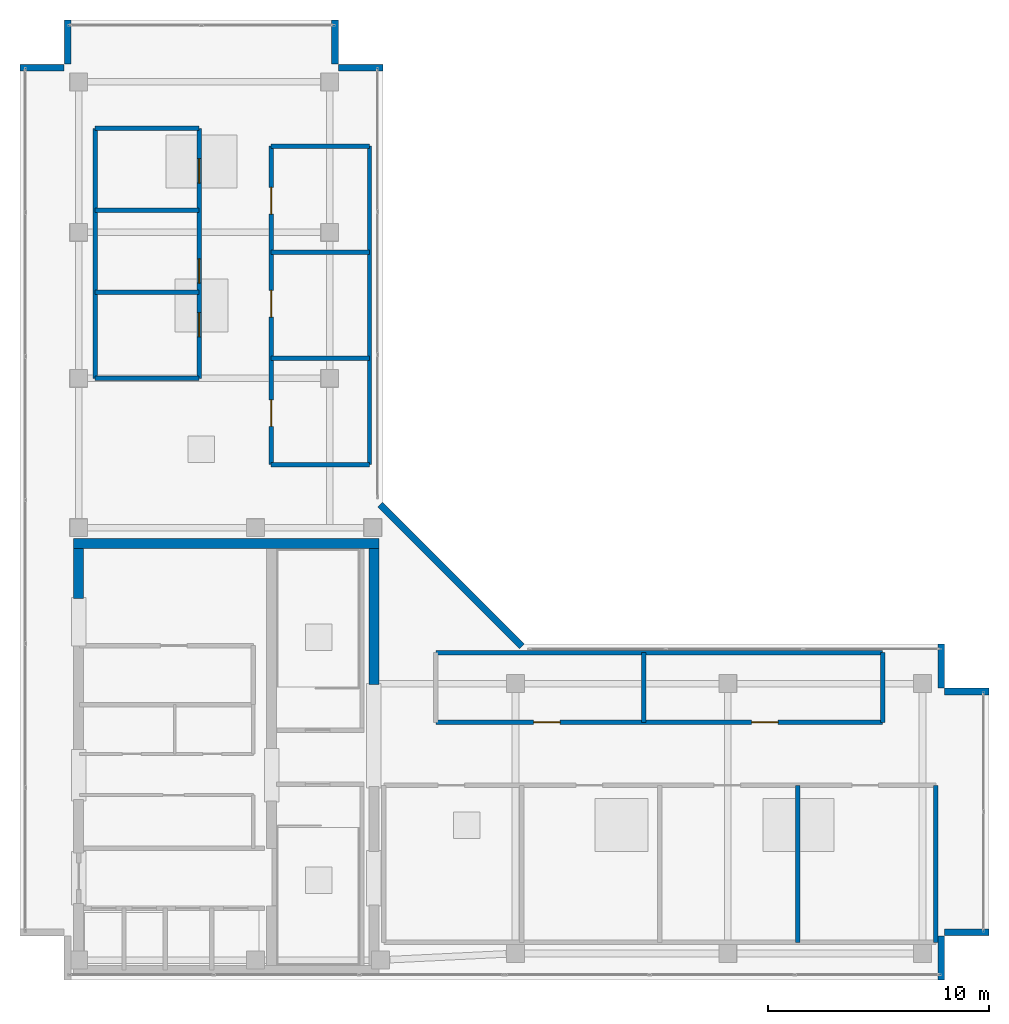
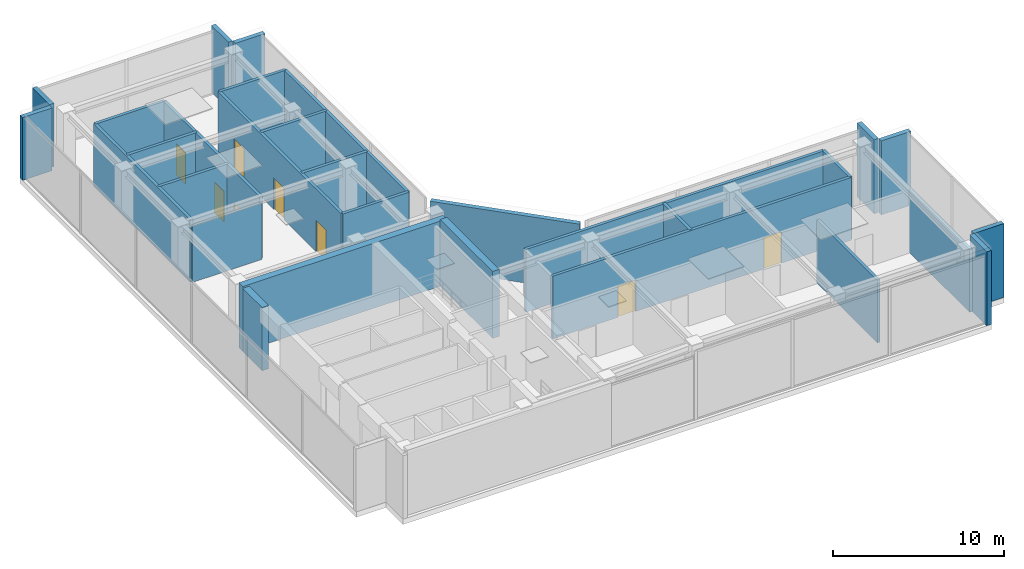
# One storey, part 21 of 22: 30 walls, 8 doors, 8 openings.
"""IFC4 building model written with IfcOpenShell, lengths in metres."""

from ifc_helpers import new_model, si_unit, direction, frame, frame_2d, origin, place, context, subcontext, project, spatial, rectangle, extrude, material, layer, layer_set, type_object, element, fill, save


model = new_model("IFC4")

# Units and contexts
model_context = context("Model", 3, precision=1e-05, world=origin(), true_north=direction((0.0, 1.0)))
body_context = subcontext(model_context, "Body", "Model", "MODEL_VIEW")
ifc_project = project(units=[si_unit("LENGTHUNIT", "METRE"), si_unit("AREAUNIT", "SQUARE_METRE"), si_unit("VOLUMEUNIT", "CUBIC_METRE"), si_unit("PLANEANGLEUNIT", "RADIAN"), si_unit("MASSUNIT", "GRAM", prefix="KILO")], contexts=[model_context])

# Site, building, storey
site_placement = place(None, origin())
site = spatial("IfcSite", under=ifc_project, at=site_placement, CompositionType="ELEMENT")
building_placement = place(site_placement, origin())
building = spatial("IfcBuilding", under=site, at=building_placement, Name="Kolvaren Waterfront Exchange", CompositionType="ELEMENT")
storey_placement = place(building_placement, frame((0.0, 0.0, 360.39990234375)))
storey = spatial("IfcBuildingStorey", under=building, at=storey_placement, Name="RF", CompositionType="ELEMENT", Elevation=360.39990234375)

# Wall, openings, doors
ifc_material_1 = material(Name="Precast concrete C40/50", Category="concrete")
ifc_layer_1 = layer(ifc_material_1, 0.199951171875, Name="Precast concrete C40/50")
ifc_layer_set_1 = layer_set([ifc_layer_1], Name="Precast concrete C40/50")
wall_type_1 = type_object("IfcWallType", Name="ARC-FIRE-200", PredefinedType="PARTITIONING", material=ifc_layer_set_1)
wall_1_placement = place(storey_placement, frame((23.60009765625, 15.64990234375, 0.0), z_axis=(0.0, 0.0, 1.0), x_axis=(1.0, 0.0, 0.0)))
wall_1 = element("IfcWall", 1, at=wall_1_placement, inside=storey, type_object=wall_type_1, Name="RF interior wall PW-RF-NEPL-S", PredefinedType="PARTITIONING", context=body_context, shape_type="SweptSolid", body=[
    extrude(rectangle(XDim=20.199951171875, YDim=0.199951171875, at=frame_2d((10.10009765625, 0.0))), origin(), (0.0, 0.0, 1.0), 4.47998046875),
])
opening_1_placement = place(wall_1_placement, frame((4.414306640625, 0.0, 0.0)))
opening_1 = element("IfcOpeningElement", 2, at=opening_1_placement, cuts=wall_1, Name="Opening FD3", PredefinedType="OPENING", context=body_context, shape_type="SweptSolid", body=[
    extrude(rectangle(XDim=1.199951171875, YDim=2.25, at=frame_2d((0.60009765625, 1.125))), frame((0.0, 0.10986328125, 0.0), z_axis=(0.0, -1.0, 0.0), x_axis=(1.0, 0.0, 0.0)), (0.0, 0.0, 1.0), 0.219970703125),
])
opening_2_placement = place(wall_1_placement, frame((14.2705078125, 0.0, 0.0)))
opening_2 = element("IfcOpeningElement", 3, at=opening_2_placement, cuts=wall_1, Name="Opening FD3", PredefinedType="OPENING", context=body_context, shape_type="SweptSolid", body=[
    extrude(rectangle(XDim=1.199951171875, YDim=2.25, at=frame_2d((0.60009765625, 1.125))), frame((0.0, 0.10986328125, 0.0), z_axis=(0.0, -1.0, 0.0), x_axis=(1.0, 0.0, 0.0)), (0.0, 0.0, 1.0), 0.219970703125),
])
ifc_material_2 = material(Name="Pressed steel fire door", Category="steel")
door_type_1 = type_object("IfcDoorType", Name="ARC-FD-1200", OperationType="NOTDEFINED", PredefinedType="DOOR", material=ifc_material_2)
door_1_placement = place(opening_1_placement, origin())
door_1 = element("IfcDoor", 4, at=door_1_placement, inside=storey, type_object=door_type_1, Name="RF door DR-RF-NEPL1-D (FD3)", OperationType="SINGLE_SWING_RIGHT", OverallHeight=2.25, OverallWidth=1.199951171875, PredefinedType="DOOR", context=body_context, shape_type="SweptSolid", body=[
    extrude(rectangle(XDim=1.199951171875, YDim=2.25, at=frame_2d((0.60009765625, 1.125))), frame((0.0, 0.02490234375, 0.0), z_axis=(0.0, -1.0, 0.0), x_axis=(1.0, 0.0, 0.0)), (0.0, 0.0, 1.0), 0.050048828125),
])
fill(opening_1, door_1)
door_2_placement = place(opening_2_placement, origin())
door_2 = element("IfcDoor", 5, at=door_2_placement, inside=storey, type_object=door_type_1, Name="RF door DR-RF-NEPL2-D (FD3)", OperationType="SINGLE_SWING_LEFT", OverallHeight=2.25, OverallWidth=1.199951171875, PredefinedType="DOOR", context=body_context, shape_type="SweptSolid", body=[
    extrude(rectangle(XDim=1.199951171875, YDim=2.25, at=frame_2d((0.60009765625, 1.125))), frame((0.0, 0.02490234375, 0.0), z_axis=(0.0, -1.0, 0.0), x_axis=(1.0, 0.0, 0.0)), (0.0, 0.0, 1.0), 0.050048828125),
])
fill(opening_2, door_2)

# Walls
wall_2_placement = place(storey_placement, frame((43.800048828125, 15.64990234375, 0.0), z_axis=(0.0, 0.0, 1.0), x_axis=(0.0, 1.0, 0.0)))
element("IfcWall", 6, at=wall_2_placement, inside=storey, type_object=wall_type_1, Name="RF interior wall PW-RF-NEPL-E", PredefinedType="PARTITIONING", context=body_context, shape_type="SweptSolid", body=[
    extrude(rectangle(XDim=3.150146484375, YDim=0.199951171875, at=frame_2d((1.5751953125, 0.0))), origin(), (0.0, 0.0, 1.0), 4.47998046875),
])
wall_3_placement = place(storey_placement, frame((23.60009765625, 18.800048828125, 0.0), z_axis=(0.0, 0.0, 1.0), x_axis=(1.0, 0.0, 0.0)))
element("IfcWall", 7, at=wall_3_placement, inside=storey, type_object=wall_type_1, Name="RF interior wall PW-RF-NEPL-N", PredefinedType="PARTITIONING", context=body_context, shape_type="SweptSolid", body=[
    extrude(rectangle(XDim=20.199951171875, YDim=0.199951171875, at=frame_2d((10.10009765625, 0.0))), origin(), (0.0, 0.0, 1.0), 4.47998046875),
])
wall_4_placement = place(storey_placement, frame((33.0, 15.64990234375, 0.0), z_axis=(0.0, 0.0, 1.0), x_axis=(0.0, 1.0, 0.0)))
element("IfcWall", 8, at=wall_4_placement, inside=storey, type_object=wall_type_1, Name="RF interior wall PW-RF-NEPL-M", PredefinedType="PARTITIONING", context=body_context, shape_type="SweptSolid", body=[
    extrude(rectangle(XDim=3.150146484375, YDim=0.199951171875, at=frame_2d((1.5751953125, 0.0))), origin(), (0.0, 0.0, 1.0), 4.47998046875),
])
for number, where, z_axis, x_axis, name in (
    (9, (46.199951171875, 5.699951171875, 0.0), (0.0, 0.0, 1.0), (0.0, 1.0, 0.0), "RF interior wall PW-RF-PL-E1"),
    (10, (39.9599609375, 5.699951171875, 0.0), (0.0, 0.0, 1.0), (0.0, 1.0, 0.0), "RF interior wall PW-RF-PL-M1-3"),
):
    element("IfcWall", number, at=place(storey_placement, frame(where, z_axis=z_axis, x_axis=x_axis)), inside=storey, type_object=wall_type_1, Name=name, PredefinedType="PARTITIONING", context=body_context, shape_type="SweptSolid", body=[
        extrude(rectangle(XDim=7.10009765625, YDim=0.199951171875, at=frame_2d((3.550048828125, 0.0))), origin(), (0.0, 0.0, 1.0), 4.47998046875),
    ])

# Wall, openings, doors
wall_5_placement = place(storey_placement, frame((12.89990234375, 31.199951171875, 0.0), z_axis=(0.0, 0.0, 1.0), x_axis=(0.0, 1.0, 0.0)))
wall_5 = element("IfcWall", 11, at=wall_5_placement, inside=storey, type_object=wall_type_1, Name="RF interior wall PW-RF-PL-E3", PredefinedType="PARTITIONING", context=body_context, shape_type="SweptSolid", body=[
    extrude(rectangle(XDim=11.300048828125, YDim=0.199951171875, at=frame_2d((5.64990234375, 0.0))), origin(), (0.0, 0.0, 1.0), 4.47998046875),
])
opening_3_placement = place(wall_5_placement, frame((1.875, 0.0, 0.0)))
opening_3 = element("IfcOpeningElement", 12, at=opening_3_placement, cuts=wall_5, Name="Opening FD2", PredefinedType="OPENING", context=body_context, shape_type="SweptSolid", body=[
    extrude(rectangle(XDim=1.10009765625, YDim=2.199951171875, at=frame_2d((0.550048828125, 1.10009765625))), frame((0.0, 0.10986328125, 0.0), z_axis=(0.0, -1.0, 0.0), x_axis=(1.0, 0.0, 0.0)), (0.0, 0.0, 1.0), 0.219970703125),
])
opening_4_placement = place(wall_5_placement, frame((4.300048828125, 0.0, 0.0)))
opening_4 = element("IfcOpeningElement", 13, at=opening_4_placement, cuts=wall_5, Name="Opening FD2", PredefinedType="OPENING", context=body_context, shape_type="SweptSolid", body=[
    extrude(rectangle(XDim=1.10009765625, YDim=2.199951171875, at=frame_2d((0.550048828125, 1.10009765625))), frame((0.0, 0.10986328125, 0.0), z_axis=(0.0, -1.0, 0.0), x_axis=(1.0, 0.0, 0.0)), (0.0, 0.0, 1.0), 0.219970703125),
])
opening_5_placement = place(wall_5_placement, frame((8.827392578125, 0.0, 0.0)))
opening_5 = element("IfcOpeningElement", 14, at=opening_5_placement, cuts=wall_5, Name="Opening FD2", PredefinedType="OPENING", context=body_context, shape_type="SweptSolid", body=[
    extrude(rectangle(XDim=1.10009765625, YDim=2.199951171875, at=frame_2d((0.550048828125, 1.10009765625))), frame((0.0, 0.10986328125, 0.0), z_axis=(0.0, -1.0, 0.0), x_axis=(1.0, 0.0, 0.0)), (0.0, 0.0, 1.0), 0.219970703125),
])
ifc_material_3 = material(Name="Pressed steel smoke-seal fire door", Category="steel")
door_type_2 = type_object("IfcDoorType", Name="ARC-FD-1100", OperationType="NOTDEFINED", PredefinedType="DOOR", material=ifc_material_3)
door_3_placement = place(opening_3_placement, origin())
door_3 = element("IfcDoor", 15, at=door_3_placement, inside=storey, type_object=door_type_2, Name="RF door DR-RF-PLNW-D1 (FD2)", OperationType="SINGLE_SWING_RIGHT", OverallHeight=2.199951171875, OverallWidth=1.10009765625, PredefinedType="DOOR", context=body_context, shape_type="SweptSolid", body=[
    extrude(rectangle(XDim=1.10009765625, YDim=2.199951171875, at=frame_2d((0.550048828125, 1.10009765625))), frame((0.0, 0.02490234375, 0.0), z_axis=(0.0, -1.0, 0.0), x_axis=(1.0, 0.0, 0.0)), (0.0, 0.0, 1.0), 0.050048828125),
])
fill(opening_3, door_3)
door_4_placement = place(opening_4_placement, origin())
door_4 = element("IfcDoor", 16, at=door_4_placement, inside=storey, type_object=door_type_2, Name="RF door DR-RF-PLNW-D2 (FD2)", OperationType="SINGLE_SWING_LEFT", OverallHeight=2.199951171875, OverallWidth=1.10009765625, PredefinedType="DOOR", context=body_context, shape_type="SweptSolid", body=[
    extrude(rectangle(XDim=1.10009765625, YDim=2.199951171875, at=frame_2d((0.550048828125, 1.10009765625))), frame((0.0, 0.02490234375, 0.0), z_axis=(0.0, -1.0, 0.0), x_axis=(1.0, 0.0, 0.0)), (0.0, 0.0, 1.0), 0.050048828125),
])
fill(opening_4, door_4)
door_5_placement = place(opening_5_placement, origin())
door_5 = element("IfcDoor", 17, at=door_5_placement, inside=storey, type_object=door_type_2, Name="RF door DR-RF-PLNW-D3 (FD2)", OperationType="SINGLE_SWING_RIGHT", OverallHeight=2.199951171875, OverallWidth=1.10009765625, PredefinedType="DOOR", context=body_context, shape_type="SweptSolid", body=[
    extrude(rectangle(XDim=1.10009765625, YDim=2.199951171875, at=frame_2d((0.550048828125, 1.10009765625))), frame((0.0, 0.02490234375, 0.0), z_axis=(0.0, -1.0, 0.0), x_axis=(1.0, 0.0, 0.0)), (0.0, 0.0, 1.0), 0.050048828125),
])
fill(opening_5, door_5)

# Walls
wall_6_placement = place(storey_placement, frame((8.199951171875, 31.199951171875, 0.0), z_axis=(0.0, 0.0, 1.0), x_axis=(0.0, 1.0, 0.0)))
element("IfcWall", 18, at=wall_6_placement, inside=storey, type_object=wall_type_1, Name="RF interior wall PW-RF-PL-W3", PredefinedType="PARTITIONING", context=body_context, shape_type="SweptSolid", body=[
    extrude(rectangle(XDim=11.300048828125, YDim=0.199951171875, at=frame_2d((5.64990234375, 0.0))), origin(), (0.0, 0.0, 1.0), 4.47998046875),
])
wall_7_placement = place(storey_placement, frame((8.199951171875, 31.199951171875, 0.0), z_axis=(0.0, 0.0, 1.0), x_axis=(1.0, 0.0, 0.0)))
element("IfcWall", 19, at=wall_7_placement, inside=storey, type_object=wall_type_1, Name="RF interior wall PW-RF-PL-S3", PredefinedType="PARTITIONING", context=body_context, shape_type="SweptSolid", body=[
    extrude(rectangle(XDim=4.699951171875, YDim=0.199951171875, at=frame_2d((2.35009765625, 0.0))), origin(), (0.0, 0.0, 1.0), 4.031005859375),
])
for number, where, z_axis, x_axis, name in (
    (20, (8.199951171875, 42.5, 0.0), (0.0, 0.0, 1.0), (1.0, 0.0, 0.0), "RF interior wall PW-RF-PL-N3"),
    (21, (8.199951171875, 35.10009765625, 0.0), (0.0, 0.0, 1.0), (1.0, 0.0, 0.0), "RF interior wall PW-RF-PL-M3-1"),
    (22, (8.199951171875, 38.800048828125, 0.0), (0.0, 0.0, 1.0), (1.0, 0.0, 0.0), "RF interior wall PW-RF-PL-M3-2"),
):
    element("IfcWall", number, at=place(storey_placement, frame(where, z_axis=z_axis, x_axis=x_axis)), inside=storey, type_object=wall_type_1, Name=name, PredefinedType="PARTITIONING", context=body_context, shape_type="SweptSolid", body=[
        extrude(rectangle(XDim=4.699951171875, YDim=0.199951171875, at=frame_2d((2.35009765625, 0.0))), origin(), (0.0, 0.0, 1.0), 4.47998046875),
    ])

# Wall, openings, doors
wall_8_placement = place(storey_placement, frame((16.14990234375, 27.300048828125, 0.0), z_axis=(0.0, 0.0, 1.0), x_axis=(0.0, 1.0, 0.0)))
wall_8 = element("IfcWall", 23, at=wall_8_placement, inside=storey, type_object=wall_type_1, Name="RF interior wall PW-RF-PL-W4", PredefinedType="PARTITIONING", context=body_context, shape_type="SweptSolid", body=[
    extrude(rectangle(XDim=14.39990234375, YDim=0.199951171875, at=frame_2d((7.199951171875, 0.0))), origin(), (0.0, 0.0, 1.0), 4.47998046875),
])
opening_6_placement = place(wall_8_placement, frame((1.72900390625, 0.0, 0.0)))
opening_6 = element("IfcOpeningElement", 24, at=opening_6_placement, cuts=wall_8, Name="Opening FD3", PredefinedType="OPENING", context=body_context, shape_type="SweptSolid", body=[
    extrude(rectangle(XDim=1.199951171875, YDim=2.25, at=frame_2d((0.60009765625, 1.125))), frame((0.0, 0.10986328125, 0.0), z_axis=(0.0, -1.0, 0.0), x_axis=(1.0, 0.0, 0.0)), (0.0, 0.0, 1.0), 0.219970703125),
])
opening_7_placement = place(wall_8_placement, frame((6.671142578125, 0.0, 0.0)))
opening_7 = element("IfcOpeningElement", 25, at=opening_7_placement, cuts=wall_8, Name="Opening FD3", PredefinedType="OPENING", context=body_context, shape_type="SweptSolid", body=[
    extrude(rectangle(XDim=1.199951171875, YDim=2.25, at=frame_2d((0.60009765625, 1.125))), frame((0.0, 0.10986328125, 0.0), z_axis=(0.0, -1.0, 0.0), x_axis=(1.0, 0.0, 0.0)), (0.0, 0.0, 1.0), 0.219970703125),
])
opening_8_placement = place(wall_8_placement, frame((11.328857421875, 0.0, 0.0)))
opening_8 = element("IfcOpeningElement", 26, at=opening_8_placement, cuts=wall_8, Name="Opening FD3", PredefinedType="OPENING", context=body_context, shape_type="SweptSolid", body=[
    extrude(rectangle(XDim=1.199951171875, YDim=2.25, at=frame_2d((0.60009765625, 1.125))), frame((0.0, 0.10986328125, 0.0), z_axis=(0.0, -1.0, 0.0), x_axis=(1.0, 0.0, 0.0)), (0.0, 0.0, 1.0), 0.219970703125),
])
door_6_placement = place(opening_6_placement, origin())
door_6 = element("IfcDoor", 27, at=door_6_placement, inside=storey, type_object=door_type_1, Name="RF door DR-RF-PLNER-D1 (FD3)", OperationType="SINGLE_SWING_LEFT", OverallHeight=2.25, OverallWidth=1.199951171875, PredefinedType="DOOR", context=body_context, shape_type="SweptSolid", body=[
    extrude(rectangle(XDim=1.199951171875, YDim=2.25, at=frame_2d((0.60009765625, 1.125))), frame((0.0, 0.02490234375, 0.0), z_axis=(0.0, -1.0, 0.0), x_axis=(1.0, 0.0, 0.0)), (0.0, 0.0, 1.0), 0.050048828125),
])
fill(opening_6, door_6)
door_7_placement = place(opening_7_placement, origin())
door_7 = element("IfcDoor", 28, at=door_7_placement, inside=storey, type_object=door_type_1, Name="RF door DR-RF-PLNER-D2 (FD3)", OperationType="SINGLE_SWING_RIGHT", OverallHeight=2.25, OverallWidth=1.199951171875, PredefinedType="DOOR", context=body_context, shape_type="SweptSolid", body=[
    extrude(rectangle(XDim=1.199951171875, YDim=2.25, at=frame_2d((0.60009765625, 1.125))), frame((0.0, 0.02490234375, 0.0), z_axis=(0.0, -1.0, 0.0), x_axis=(1.0, 0.0, 0.0)), (0.0, 0.0, 1.0), 0.050048828125),
])
fill(opening_7, door_7)
door_8_placement = place(opening_8_placement, origin())
door_8 = element("IfcDoor", 29, at=door_8_placement, inside=storey, type_object=door_type_1, Name="RF door DR-RF-PLNER-D3 (FD3)", OperationType="SINGLE_SWING_LEFT", OverallHeight=2.25, OverallWidth=1.199951171875, PredefinedType="DOOR", context=body_context, shape_type="SweptSolid", body=[
    extrude(rectangle(XDim=1.199951171875, YDim=2.25, at=frame_2d((0.60009765625, 1.125))), frame((0.0, 0.02490234375, 0.0), z_axis=(0.0, -1.0, 0.0), x_axis=(1.0, 0.0, 0.0)), (0.0, 0.0, 1.0), 0.050048828125),
])
fill(opening_8, door_8)

# Walls
wall_9_placement = place(storey_placement, frame((20.60009765625, 27.300048828125, 0.0), z_axis=(0.0, 0.0, 1.0), x_axis=(0.0, 1.0, 0.0)))
element("IfcWall", 30, at=wall_9_placement, inside=storey, type_object=wall_type_1, Name="RF interior wall PW-RF-PL-E4", PredefinedType="PARTITIONING", context=body_context, shape_type="SweptSolid", body=[
    extrude(rectangle(XDim=14.39990234375, YDim=0.199951171875, at=frame_2d((7.199951171875, 0.0))), origin(), (0.0, 0.0, 1.0), 4.47998046875),
])
for number, where, z_axis, x_axis, name in (
    (31, (16.14990234375, 27.300048828125, 0.0), (0.0, 0.0, 1.0), (1.0, 0.0, 0.0), "RF interior wall PW-RF-PL-S4"),
    (32, (16.14990234375, 41.699951171875, 0.0), (0.0, 0.0, 1.0), (1.0, 0.0, 0.0), "RF interior wall PW-RF-PL-N4"),
    (33, (16.14990234375, 32.10009765625, 0.0), (0.0, 0.0, 1.0), (1.0, 0.0, 0.0), "RF interior wall PW-RF-PL-M4-1"),
    (34, (16.14990234375, 36.89990234375, 0.0), (0.0, 0.0, 1.0), (1.0, 0.0, 0.0), "RF interior wall PW-RF-PL-M4-2"),
):
    element("IfcWall", number, at=place(storey_placement, frame(where, z_axis=z_axis, x_axis=x_axis)), inside=storey, type_object=wall_type_1, Name=name, PredefinedType="PARTITIONING", context=body_context, shape_type="SweptSolid", body=[
        extrude(rectangle(XDim=4.4501953125, YDim=0.199951171875, at=frame_2d((2.22509765625, 0.0))), origin(), (0.0, 0.0, 1.0), 4.47998046875),
    ])
ifc_layer_2 = layer(ifc_material_1, 0.300048828125, Name="Precast concrete C40/50")
ifc_layer_set_2 = layer_set([ifc_layer_2], Name="Precast concrete C40/50")
wall_type_2 = type_object("IfcWallType", Name="ARC-PARAPET-300", PredefinedType="PARAPET", material=ifc_layer_set_2)
for number, where, z_axis, x_axis, name in (
    (35, (46.43994140625, 4.0, 0.0), (0.0, 0.0, 1.0), (0.0, 1.0, 0.0), "RF stepped crown corner closure wall 02"),
    (36, (46.60009765625, 6.159912109375, 0.0), (0.0, 0.0, 1.0), (1.0, 0.0, 0.0), "RF stepped crown corner closure wall 03"),
    (37, (48.60009765625, 17.0400390625, 0.0), (0.0, 0.0, 1.0), (-1.0, 0.0, 0.0), "RF stepped crown corner closure wall 05"),
    (38, (46.43994140625, 17.199951171875, 0.0), (0.0, 0.0, 1.0), (0.0, 1.0, 0.0), "RF stepped crown corner closure wall 06"),
):
    element("IfcWall", number, at=place(storey_placement, frame(where, z_axis=z_axis, x_axis=x_axis)), inside=storey, type_object=wall_type_2, Name=name, PredefinedType="PARAPET", context=body_context, shape_type="SweptSolid", body=[
        extrude(rectangle(XDim=2.0, YDim=0.300048828125, at=frame_2d((1.0, 0.0))), origin(), (0.0, 0.0, 1.0), 5.291748046875),
    ])
wall_10_placement = place(storey_placement, frame((27.48681640625, 19.0869140625, 0.0), z_axis=(0.0, 0.0, 1.0), x_axis=(-0.707106781187, 0.707106781187, 0.0)))
element("IfcWall", 39, at=wall_10_placement, inside=storey, type_object=wall_type_2, Name="RF stepped crown corner closure wall 08", PredefinedType="PARAPET", context=body_context, shape_type="SweptSolid", body=[
    extrude(rectangle(XDim=9.05078125, YDim=0.300048828125, at=frame_2d((4.525390625, 0.0))), origin(), (0.0, 0.0, 1.0), 4.8046875),
])
for number, where, z_axis, x_axis, name in (
    (40, (21.199951171875, 45.239990234375, 0.0), (0.0, 0.0, 1.0), (-1.0, 0.0, 0.0), "RF stepped crown corner closure wall 10"),
    (41, (19.0400390625, 45.39990234375, 0.0), (0.0, 0.0, 1.0), (0.0, 1.0, 0.0), "RF stepped crown corner closure wall 11"),
):
    element("IfcWall", number, at=place(storey_placement, frame(where, z_axis=z_axis, x_axis=x_axis)), inside=storey, type_object=wall_type_2, Name=name, PredefinedType="PARAPET", context=body_context, shape_type="SweptSolid", body=[
        extrude(rectangle(XDim=2.0, YDim=0.300048828125, at=frame_2d((1.0, 0.0))), origin(), (0.0, 0.0, 1.0), 4.766357421875),
    ])
wall_11_placement = place(storey_placement, frame((6.9599609375, 47.39990234375, 0.0), z_axis=(0.0, 0.0, 1.0), x_axis=(0.0, -1.0, 0.0)))
element("IfcWall", 42, at=wall_11_placement, inside=storey, type_object=wall_type_2, Name="RF stepped crown corner closure wall 13", PredefinedType="PARAPET", context=body_context, shape_type="SweptSolid", body=[
    extrude(rectangle(XDim=2.0, YDim=0.300048828125, at=frame_2d((1.0, 0.0))), origin(), (0.0, 0.0, 1.0), 4.528564453125),
])
wall_12_placement = place(storey_placement, frame((6.800048828125, 45.239990234375, 0.0), z_axis=(0.0, 0.0, 1.0), x_axis=(-1.0, 0.0, 0.0)))
element("IfcWall", 43, at=wall_12_placement, inside=storey, type_object=wall_type_2, Name="RF stepped crown corner closure wall 14", PredefinedType="PARAPET", context=body_context, shape_type="SweptSolid", body=[
    extrude(rectangle(XDim=2.0, YDim=0.300048828125, at=frame_2d((1.0, 0.0))), origin(), (0.0, 0.0, 1.0), 4.489990234375),
])
ifc_material_4 = material(Name="Concrete C50/60", Category="concrete")
ifc_layer_3 = layer(ifc_material_4, 0.449951171875, Name="Concrete C50/60")
ifc_layer_set_3 = layer_set([ifc_layer_3], Name="Concrete C50/60")
wall_type_3 = type_object("IfcWallType", Name="STR-CWALL-450", PredefinedType="SHEAR", material=ifc_layer_set_3)
wall_13_placement = place(storey_placement, frame((7.22509765625, 23.72509765625, 0.0), z_axis=(0.0, 0.0, 1.0), x_axis=(1.0, 0.0, 0.0)))
element("IfcWall", 44, at=wall_13_placement, inside=storey, type_object=wall_type_3, Name="RF rear-core shear wall N", PredefinedType="SHEAR", context=body_context, shape_type="SweptSolid", body=[
    extrude(rectangle(XDim=13.7998046875, YDim=0.449951171875, at=frame_2d((6.89990234375, 0.0))), origin(), (0.0, 0.0, 1.0), 4.658935546875),
])
wall_14_placement = place(storey_placement, frame((7.449951171875, 21.239990234375, 0.0), z_axis=(0.0, 0.0, 1.0), x_axis=(0.0, 1.0, 0.0)))
element("IfcWall", 45, at=wall_14_placement, inside=storey, type_object=wall_type_3, Name="RF rear-core shear wall W3", PredefinedType="SHEAR", context=body_context, shape_type="SweptSolid", body=[
    extrude(rectangle(XDim=2.260009765625, YDim=0.449951171875, at=frame_2d((1.1298828125, 0.0))), origin(), (0.0, 0.0, 1.0), 4.531005859375),
])
wall_15_placement = place(storey_placement, frame((20.800048828125, 17.35009765625, 0.0), z_axis=(0.0, 0.0, 1.0), x_axis=(0.0, 1.0, 0.0)))
element("IfcWall", 46, at=wall_15_placement, inside=storey, type_object=wall_type_3, Name="RF rear-core shear wall E3", PredefinedType="SHEAR", context=body_context, shape_type="SweptSolid", body=[
    extrude(rectangle(XDim=6.14990234375, YDim=0.449951171875, at=frame_2d((3.074951171875, 0.0))), origin(), (0.0, 0.0, 1.0), 4.786865234375),
])

save(model, "model.ifc")
